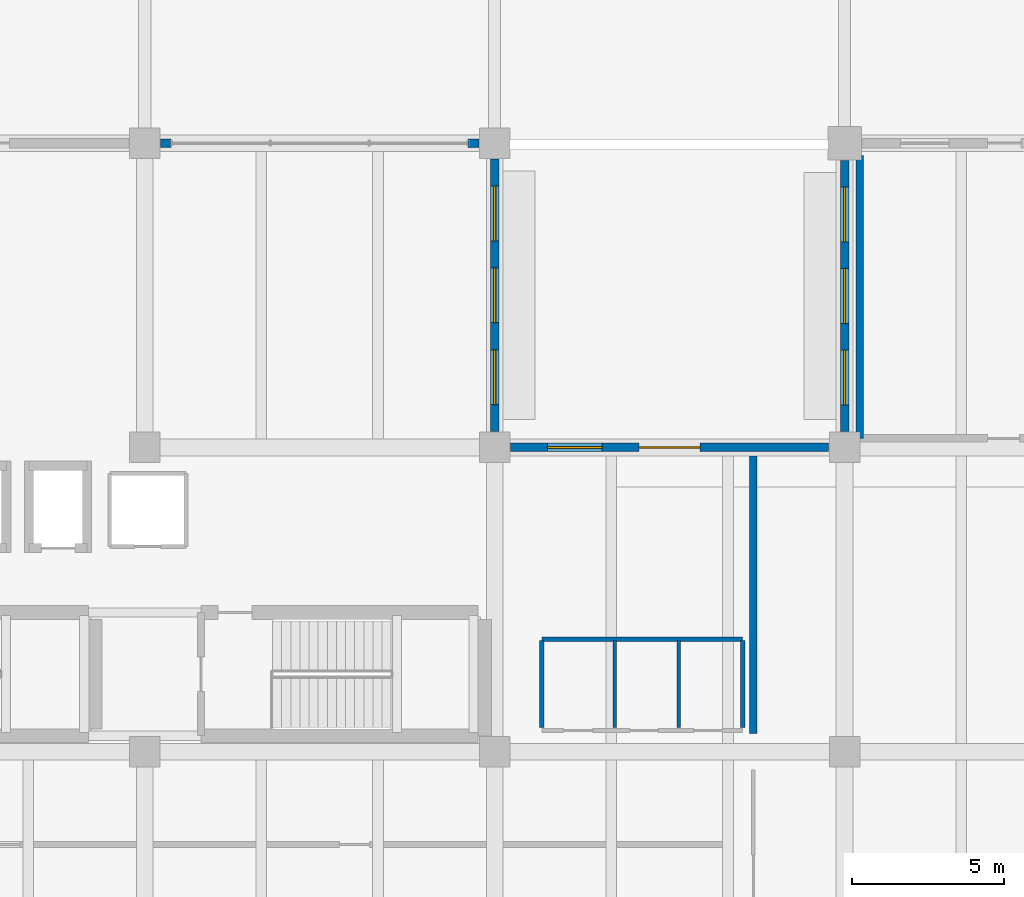
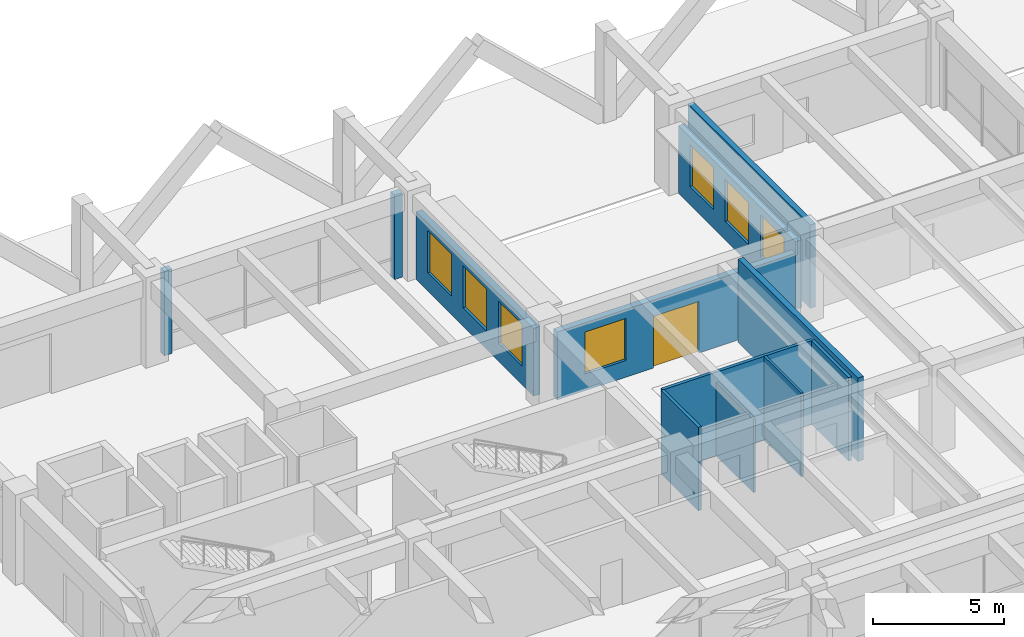
# One storey, part 84 of 109: 12 walls, 7 windows, 1 door, 8 openings.
"""IFC4 building model written with IfcOpenShell, lengths in metres."""

from ifc_helpers import new_model, si_unit, direction, frame, frame_2d, origin, place, context, subcontext, project, spatial, rectangle, extrude, material, layer, layer_set, type_object, element, fill, save


model = new_model("IFC4")

# Units and contexts
model_context = context("Model", 3, precision=1e-05, world=origin(), true_north=direction((0.0, 1.0)))
body_context = subcontext(model_context, "Body", "Model", "MODEL_VIEW")
ifc_project = project(units=[si_unit("LENGTHUNIT", "METRE"), si_unit("AREAUNIT", "SQUARE_METRE"), si_unit("VOLUMEUNIT", "CUBIC_METRE"), si_unit("PLANEANGLEUNIT", "RADIAN"), si_unit("MASSUNIT", "GRAM", prefix="KILO")], contexts=[model_context])

# Site, building, storey
site_placement = place(None, origin())
site = spatial("IfcSite", under=ifc_project, at=site_placement, CompositionType="ELEMENT")
building_placement = place(site_placement, origin())
building = spatial("IfcBuilding", under=site, at=building_placement, Name="Ologun Quay Terminus", CompositionType="ELEMENT")
storey_placement = place(building_placement, origin())
storey = spatial("IfcBuildingStorey", under=building, at=storey_placement, Name="L00", CompositionType="ELEMENT", Elevation=0.0)

# Wall, openings, windows
ifc_material_1 = material(Name="Concrete C40/50", Category="concrete")
ifc_layer_1 = layer(ifc_material_1, 0.280029296875)
ifc_layer_set_1 = layer_set([ifc_layer_1], Name="Concrete C40/50")
wall_type_1 = type_object("IfcWallType", Name="Courtyard Wing Spandrel Concrete Wall 280", PredefinedType="SOLIDWALL", material=ifc_layer_set_1)
wall_1_placement = place(storey_placement, frame((57.5, 105.320068359375, 0.0), z_axis=(0.0, 0.0, 1.0), x_axis=(0.0, 1.0, 0.0)))
wall_1 = element("IfcWall", 1, at=wall_1_placement, inside=storey, type_object=wall_type_1, Name="EW-02 Facade Wall WEW-WW-O-L00-11", PredefinedType="SOLIDWALL", context=body_context, shape_type="SweptSolid", body=[
    extrude(rectangle(XDim=8.909912109375, YDim=0.280029296875, at=frame_2d((4.455078125, 0.0))), origin(), (0.0, 0.0, 1.0), 3.14990234375),
])
opening_1_placement = place(wall_1_placement, frame((0.87744140625, 0.0, 0.85009765625)))
opening_1 = element("IfcOpeningElement", 2, at=opening_1_placement, cuts=wall_1, Name="Opening WN-167", PredefinedType="OPENING", context=body_context, shape_type="SweptSolid", body=[
    extrude(rectangle(XDim=1.800048828125, YDim=1.949951171875, at=frame_2d((0.89990234375, 0.97509765625))), frame((0.0, 0.14990234375, 0.0), z_axis=(0.0, -1.0, 0.0), x_axis=(1.0, 0.0, 0.0)), (0.0, 0.0, 1.0), 0.300048828125),
])
opening_2_placement = place(wall_1_placement, frame((3.554931640625, 0.0, 0.85009765625)))
opening_2 = element("IfcOpeningElement", 3, at=opening_2_placement, cuts=wall_1, Name="Opening WN-168", PredefinedType="OPENING", context=body_context, shape_type="SweptSolid", body=[
    extrude(rectangle(XDim=1.800048828125, YDim=1.949951171875, at=frame_2d((0.89990234375, 0.97509765625))), frame((0.0, 0.14990234375, 0.0), z_axis=(0.0, -1.0, 0.0), x_axis=(1.0, 0.0, 0.0)), (0.0, 0.0, 1.0), 0.300048828125),
])
opening_3_placement = place(wall_1_placement, frame((6.232421875, 0.0, 0.85009765625)))
opening_3 = element("IfcOpeningElement", 4, at=opening_3_placement, cuts=wall_1, Name="Opening WN-169", PredefinedType="OPENING", context=body_context, shape_type="SweptSolid", body=[
    extrude(rectangle(XDim=1.800048828125, YDim=1.949951171875, at=frame_2d((0.89990234375, 0.97509765625))), frame((0.0, 0.14990234375, 0.0), z_axis=(0.0, -1.0, 0.0), x_axis=(1.0, 0.0, 0.0)), (0.0, 0.0, 1.0), 0.300048828125),
])
ifc_material_2 = material(Name="Glass", Category="glass")
window_type = type_object("IfcWindowType", Name="Waterfront Pavilion Module Window 1800x1950", PartitioningType="SINGLE_PANEL", PredefinedType="WINDOW", material=ifc_material_2)
window_1_placement = place(opening_1_placement, origin())
window_1 = element("IfcWindow", 5, at=window_1_placement, inside=storey, type_object=window_type, Name="W-11 Window WN-167", OverallHeight=1.949951171875, OverallWidth=1.800048828125, PartitioningType="SINGLE_PANEL", PredefinedType="WINDOW", context=body_context, shape_type="SweptSolid", body=[
    extrude(rectangle(XDim=1.800048828125, YDim=1.949951171875, at=frame_2d((0.89990234375, 0.97509765625))), frame((0.0, 0.030029296875, 0.0), z_axis=(0.0, -1.0, 0.0), x_axis=(1.0, 0.0, 0.0)), (0.0, 0.0, 1.0), 0.06005859375),
])
fill(opening_1, window_1)
window_2_placement = place(opening_2_placement, origin())
window_2 = element("IfcWindow", 6, at=window_2_placement, inside=storey, type_object=window_type, Name="W-11 Window WN-168", OverallHeight=1.949951171875, OverallWidth=1.800048828125, PartitioningType="SINGLE_PANEL", PredefinedType="WINDOW", context=body_context, shape_type="SweptSolid", body=[
    extrude(rectangle(XDim=1.800048828125, YDim=1.949951171875, at=frame_2d((0.89990234375, 0.97509765625))), frame((0.0, 0.030029296875, 0.0), z_axis=(0.0, -1.0, 0.0), x_axis=(1.0, 0.0, 0.0)), (0.0, 0.0, 1.0), 0.06005859375),
])
fill(opening_2, window_2)
window_3_placement = place(opening_3_placement, origin())
window_3 = element("IfcWindow", 7, at=window_3_placement, inside=storey, type_object=window_type, Name="W-11 Window WN-169", OverallHeight=1.949951171875, OverallWidth=1.800048828125, PartitioningType="SINGLE_PANEL", PredefinedType="WINDOW", context=body_context, shape_type="SweptSolid", body=[
    extrude(rectangle(XDim=1.800048828125, YDim=1.949951171875, at=frame_2d((0.89990234375, 0.97509765625))), frame((0.0, 0.030029296875, 0.0), z_axis=(0.0, -1.0, 0.0), x_axis=(1.0, 0.0, 0.0)), (0.0, 0.0, 1.0), 0.06005859375),
])
fill(opening_3, window_3)

# Wall, openings, door, window
wall_2_placement = place(storey_placement, frame((46.52001953125, 104.800048828125, 0.0), z_axis=(0.0, 0.0, 1.0), x_axis=(1.0, 0.0, 0.0)))
wall_2 = element("IfcWall", 8, at=wall_2_placement, inside=storey, type_object=wall_type_1, Name="EW-02 Facade Wall WEW-WW-O-L00-12", PredefinedType="SOLIDWALL", context=body_context, shape_type="SweptSolid", body=[
    extrude(rectangle(XDim=10.4599609375, YDim=0.280029296875, at=frame_2d((5.22998046875, 0.0))), origin(), (0.0, 0.0, 1.0), 3.14990234375),
])
opening_4_placement = place(wall_2_placement, frame((4.22998046875, 0.0, 0.0)))
opening_4 = element("IfcOpeningElement", 9, at=opening_4_placement, cuts=wall_2, Name="Opening ED-014", PredefinedType="OPENING", context=body_context, shape_type="SweptSolid", body=[
    extrude(rectangle(XDim=2.0, YDim=2.39990234375, at=frame_2d((1.0, 1.199951171875))), frame((0.0, 0.14990234375, 0.0), z_axis=(0.0, -1.0, 0.0), x_axis=(1.0, 0.0, 0.0)), (0.0, 0.0, 1.0), 0.300048828125),
])
opening_5_placement = place(wall_2_placement, frame((1.215087890625, 0.0, 0.780029296875)))
opening_5 = element("IfcOpeningElement", 10, at=opening_5_placement, cuts=wall_2, Name="Opening WN-170", PredefinedType="OPENING", context=body_context, shape_type="SweptSolid", body=[
    extrude(rectangle(XDim=1.800048828125, YDim=1.949951171875, at=frame_2d((0.89990234375, 0.97509765625))), frame((0.0, 0.14990234375, 0.0), z_axis=(0.0, -1.0, 0.0), x_axis=(1.0, 0.0, 0.0)), (0.0, 0.0, 1.0), 0.300048828125),
])
ifc_material_3 = material(Name="Glass", Category="glass")
door_type = type_object("IfcDoorType", Name="Promenade Retail Entrance Double Door 2000x2400", OperationType="DOUBLE_DOOR_SINGLE_SWING", PredefinedType="DOOR", material=ifc_material_3)
door_placement = place(opening_4_placement, origin())
door = element("IfcDoor", 11, at=door_placement, inside=storey, type_object=door_type, Name="D-02 Exterior Door ED-014", OperationType="DOUBLE_DOOR_SINGLE_SWING", OverallHeight=2.39990234375, OverallWidth=2.0, PredefinedType="DOOR", context=body_context, shape_type="SweptSolid", body=[
    extrude(rectangle(XDim=2.0, YDim=2.39990234375, at=frame_2d((1.0, 1.199951171875))), frame((0.0, 0.02490234375, 0.0), z_axis=(0.0, -1.0, 0.0), x_axis=(1.0, 0.0, 0.0)), (0.0, 0.0, 1.0), 0.050048828125),
])
fill(opening_4, door)
window_4_placement = place(opening_5_placement, origin())
window_4 = element("IfcWindow", 12, at=window_4_placement, inside=storey, type_object=window_type, Name="W-11 Window WN-170", OverallHeight=1.949951171875, OverallWidth=1.800048828125, PartitioningType="SINGLE_PANEL", PredefinedType="WINDOW", context=body_context, shape_type="SweptSolid", body=[
    extrude(rectangle(XDim=1.800048828125, YDim=1.949951171875, at=frame_2d((0.89990234375, 0.97509765625))), frame((0.0, 0.030029296875, 0.0), z_axis=(0.0, -1.0, 0.0), x_axis=(1.0, 0.0, 0.0)), (0.0, 0.0, 1.0), 0.06005859375),
])
fill(opening_5, window_4)

# Wall, openings, windows
wall_3_placement = place(storey_placement, frame((46.0, 105.320068359375, 0.0), z_axis=(0.0, 0.0, 1.0), x_axis=(0.0, 1.0, 0.0)))
wall_3 = element("IfcWall", 13, at=wall_3_placement, inside=storey, type_object=wall_type_1, Name="EW-02 Facade Wall WEW-WW-O-L00-13", PredefinedType="SOLIDWALL", context=body_context, shape_type="SweptSolid", body=[
    extrude(rectangle(XDim=8.9599609375, YDim=0.280029296875, at=frame_2d((4.47998046875, 0.0))), origin(), (0.0, 0.0, 1.0), 3.14990234375),
])
opening_6_placement = place(wall_3_placement, frame((0.889892578125, 0.0, 0.85009765625)))
opening_6 = element("IfcOpeningElement", 14, at=opening_6_placement, cuts=wall_3, Name="Opening WN-171", PredefinedType="OPENING", context=body_context, shape_type="SweptSolid", body=[
    extrude(rectangle(XDim=1.800048828125, YDim=1.949951171875, at=frame_2d((0.89990234375, 0.97509765625))), frame((0.0, 0.14990234375, 0.0), z_axis=(0.0, -1.0, 0.0), x_axis=(1.0, 0.0, 0.0)), (0.0, 0.0, 1.0), 0.300048828125),
])
opening_7_placement = place(wall_3_placement, frame((3.580078125, 0.0, 0.85009765625)))
opening_7 = element("IfcOpeningElement", 15, at=opening_7_placement, cuts=wall_3, Name="Opening WN-172", PredefinedType="OPENING", context=body_context, shape_type="SweptSolid", body=[
    extrude(rectangle(XDim=1.800048828125, YDim=1.949951171875, at=frame_2d((0.89990234375, 0.97509765625))), frame((0.0, 0.14990234375, 0.0), z_axis=(0.0, -1.0, 0.0), x_axis=(1.0, 0.0, 0.0)), (0.0, 0.0, 1.0), 0.300048828125),
])
opening_8_placement = place(wall_3_placement, frame((6.27001953125, 0.0, 0.85009765625)))
opening_8 = element("IfcOpeningElement", 16, at=opening_8_placement, cuts=wall_3, Name="Opening WN-173", PredefinedType="OPENING", context=body_context, shape_type="SweptSolid", body=[
    extrude(rectangle(XDim=1.800048828125, YDim=1.949951171875, at=frame_2d((0.89990234375, 0.97509765625))), frame((0.0, 0.14990234375, 0.0), z_axis=(0.0, -1.0, 0.0), x_axis=(1.0, 0.0, 0.0)), (0.0, 0.0, 1.0), 0.300048828125),
])
window_5_placement = place(opening_6_placement, origin())
window_5 = element("IfcWindow", 17, at=window_5_placement, inside=storey, type_object=window_type, Name="W-11 Window WN-171", OverallHeight=1.949951171875, OverallWidth=1.800048828125, PartitioningType="SINGLE_PANEL", PredefinedType="WINDOW", context=body_context, shape_type="SweptSolid", body=[
    extrude(rectangle(XDim=1.800048828125, YDim=1.949951171875, at=frame_2d((0.89990234375, 0.97509765625))), frame((0.0, 0.030029296875, 0.0), z_axis=(0.0, -1.0, 0.0), x_axis=(1.0, 0.0, 0.0)), (0.0, 0.0, 1.0), 0.06005859375),
])
fill(opening_6, window_5)
window_6_placement = place(opening_7_placement, origin())
window_6 = element("IfcWindow", 18, at=window_6_placement, inside=storey, type_object=window_type, Name="W-11 Window WN-172", OverallHeight=1.949951171875, OverallWidth=1.800048828125, PartitioningType="SINGLE_PANEL", PredefinedType="WINDOW", context=body_context, shape_type="SweptSolid", body=[
    extrude(rectangle(XDim=1.800048828125, YDim=1.949951171875, at=frame_2d((0.89990234375, 0.97509765625))), frame((0.0, 0.030029296875, 0.0), z_axis=(0.0, -1.0, 0.0), x_axis=(1.0, 0.0, 0.0)), (0.0, 0.0, 1.0), 0.06005859375),
])
fill(opening_7, window_6)
window_7_placement = place(opening_8_placement, origin())
window_7 = element("IfcWindow", 19, at=window_7_placement, inside=storey, type_object=window_type, Name="W-11 Window WN-173", OverallHeight=1.949951171875, OverallWidth=1.800048828125, PartitioningType="SINGLE_PANEL", PredefinedType="WINDOW", context=body_context, shape_type="SweptSolid", body=[
    extrude(rectangle(XDim=1.800048828125, YDim=1.949951171875, at=frame_2d((0.89990234375, 0.97509765625))), frame((0.0, 0.030029296875, 0.0), z_axis=(0.0, -1.0, 0.0), x_axis=(1.0, 0.0, 0.0)), (0.0, 0.0, 1.0), 0.06005859375),
])
fill(opening_8, window_7)

# Walls
for number, where, z_axis, x_axis, name in (
    (20, (35.02001953125, 114.800048828125, 0.0), (0.0, 0.0, 1.0), (1.0, 0.0, 0.0), "Curtain Wall Jamb Pier CW-L00-096-J1"),
    (21, (45.1298828125, 114.800048828125, 0.0), (0.0, 0.0, 1.0), (1.0, 0.0, 0.0), "Curtain Wall Jamb Pier CW-L00-096-J2"),
):
    element("IfcWall", number, at=place(storey_placement, frame(where, z_axis=z_axis, x_axis=x_axis)), inside=storey, type_object=wall_type_1, Name=name, PredefinedType="SOLIDWALL", context=body_context, shape_type="SweptSolid", body=[
        extrude(rectangle(XDim=0.35009765625, YDim=0.280029296875, at=frame_2d((0.175048828125, 0.0))), origin(), (0.0, 0.0, 1.0), 3.929931640625),
    ])
ifc_material_4 = material(Name="Concrete C40/50", Category="concrete")
ifc_layer_2 = layer(ifc_material_4, 0.239990234375)
ifc_layer_set_2 = layer_set([ifc_layer_2], Name="Concrete C40/50")
wall_type_2 = type_object("IfcWallType", Name="Fire Compartment Blockwork Wall 240", PredefinedType="SOLIDWALL", material=ifc_layer_set_2)
wall_4_placement = place(storey_placement, frame((58.0, 105.10009765625, 0.0), z_axis=(0.0, 0.0, 1.0), x_axis=(0.0, 1.0, 0.0)))
element("IfcWall", 22, at=wall_4_placement, inside=storey, type_object=wall_type_2, Name="PW-01 Partition L00-FCR-W", PredefinedType="SOLIDWALL", context=body_context, shape_type="SweptSolid", body=[
    extrude(rectangle(XDim=9.2998046875, YDim=0.239990234375, at=frame_2d((4.64990234375, 0.0))), origin(), (0.0, 0.0, 1.0), 3.8798828125),
])
wall_5_placement = place(storey_placement, frame((54.5, 95.39990234375, 0.0), z_axis=(0.0, 0.0, 1.0), x_axis=(0.0, 1.0, 0.0)))
element("IfcWall", 23, at=wall_5_placement, inside=storey, type_object=wall_type_2, Name="PW-01 Partition L00-Cafe-WN", PredefinedType="SOLIDWALL", context=body_context, shape_type="SweptSolid", body=[
    extrude(rectangle(XDim=9.1201171875, YDim=0.239990234375, at=frame_2d((4.56005859375, 0.0))), origin(), (0.0, 0.0, 1.0), 3.8798828125),
])
ifc_material_5 = material(Name="Gypsum Acoustic Stud")
ifc_layer_3 = layer(ifc_material_5, 0.10498046875)
ifc_layer_set_3 = layer_set([ifc_layer_3], Name="Gypsum Acoustic Stud")
wall_type_3 = type_object("IfcWallType", Name="Light Cubicle Partition 105", PredefinedType="PARTITIONING", material=ifc_layer_set_3)
wall_6_placement = place(storey_placement, frame((49.949951171875, 95.60009765625, 0.0), z_axis=(0.0, 0.0, 1.0), x_axis=(0.0, 1.0, 0.0)))
element("IfcWall", 24, at=wall_6_placement, inside=storey, type_object=wall_type_3, Name="PW-13 Partition WWC-D1", PredefinedType="PARTITIONING", context=body_context, shape_type="SweptSolid", body=[
    extrude(rectangle(XDim=2.849853515625, YDim=0.10498046875, at=frame_2d((1.4248046875, 0.0))), origin(), (0.0, 0.0, 1.0), 3.39990234375),
])
wall_7_placement = place(storey_placement, frame((52.050048828125, 95.60009765625, 0.0), z_axis=(0.0, 0.0, 1.0), x_axis=(0.0, 1.0, 0.0)))
element("IfcWall", 25, at=wall_7_placement, inside=storey, type_object=wall_type_3, Name="PW-13 Partition WWC-D2", PredefinedType="PARTITIONING", context=body_context, shape_type="SweptSolid", body=[
    extrude(rectangle(XDim=2.849853515625, YDim=0.10498046875, at=frame_2d((1.4248046875, 0.0))), origin(), (0.0, 0.0, 1.0), 3.8798828125),
])
ifc_material_6 = material(Name="Concrete C40/50", Category="concrete")
ifc_layer_4 = layer(ifc_material_6, 0.139892578125)
ifc_layer_set_4 = layer_set([ifc_layer_4], Name="Concrete C40/50")
wall_type_4 = type_object("IfcWallType", Name="Sanitary Wet-Area Blockwork Wall 140", PredefinedType="PLUMBINGWALL", material=ifc_layer_set_4)
for number, where, z_axis, x_axis, name in (
    (26, (47.550048828125, 95.60009765625, 0.0), (0.0, 0.0, 1.0), (0.0, 1.0, 0.0), "PW-06 Partition WWC-W"),
    (27, (54.14990234375, 95.60009765625, 0.0), (0.0, 0.0, 1.0), (0.0, 1.0, 0.0), "PW-06 Partition WWC-E"),
):
    element("IfcWall", number, at=place(storey_placement, frame(where, z_axis=z_axis, x_axis=x_axis)), inside=storey, type_object=wall_type_4, Name=name, PredefinedType="PLUMBINGWALL", context=body_context, shape_type="SweptSolid", body=[
        extrude(rectangle(XDim=2.849853515625, YDim=0.139892578125, at=frame_2d((1.4248046875, 0.0))), origin(), (0.0, 0.0, 1.0), 3.8798828125),
    ])
wall_8_placement = place(storey_placement, frame((47.550048828125, 98.5, 0.0), z_axis=(0.0, 0.0, 1.0), x_axis=(1.0, 0.0, 0.0)))
element("IfcWall", 28, at=wall_8_placement, inside=storey, type_object=wall_type_4, Name="PW-06 Partition WWC-N", PredefinedType="PLUMBINGWALL", context=body_context, shape_type="SweptSolid", body=[
    extrude(rectangle(XDim=6.599853515625, YDim=0.139892578125, at=frame_2d((3.2998046875, 0.0))), origin(), (0.0, 0.0, 1.0), 3.8798828125),
])

save(model, "model.ifc")
